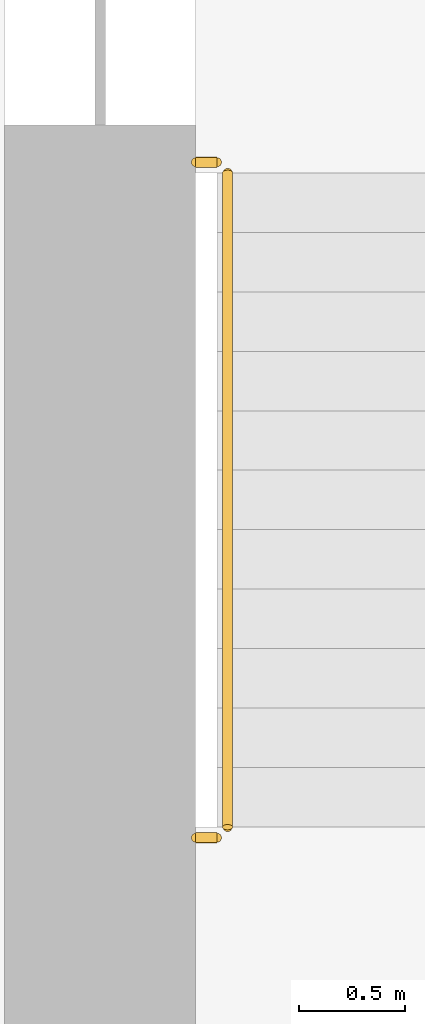
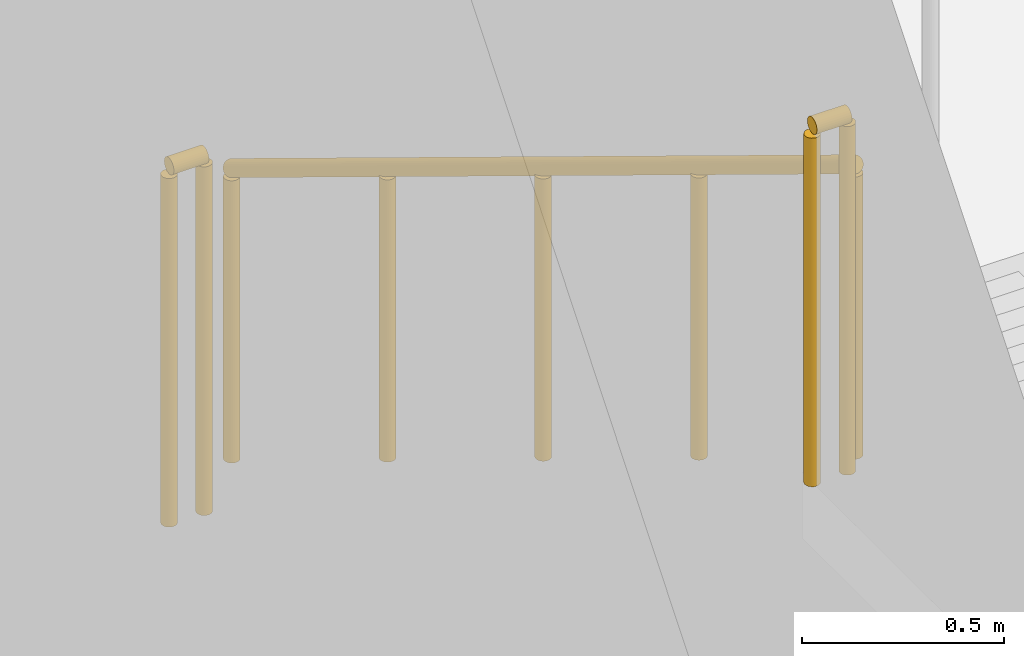
# One storey, part 10 of 17: 3 railings.
"""IFC4 building model written with IfcOpenShell, lengths in metres."""

from ifc_helpers import new_model, si_unit, direction, frame, origin, origin_2d, place, context, subcontext, project, spatial, circle, extrude, material, type_object, element, save


model = new_model("IFC4")

# Units and contexts
model_context = context("Model", 3, precision=1e-05, world=origin(), true_north=direction((0.0, 1.0)))
body_context = subcontext(model_context, "Body", "Model", "MODEL_VIEW")
ifc_project = project(units=[si_unit("LENGTHUNIT", "METRE"), si_unit("AREAUNIT", "SQUARE_METRE"), si_unit("VOLUMEUNIT", "CUBIC_METRE"), si_unit("PLANEANGLEUNIT", "RADIAN"), si_unit("MASSUNIT", "GRAM", prefix="KILO")], contexts=[model_context])

# Site, building, storey
site_placement = place(None, origin())
site = spatial("IfcSite", under=ifc_project, at=site_placement, CompositionType="ELEMENT")
building_placement = place(site_placement, origin())
building = spatial("IfcBuilding", under=site, at=building_placement, Name="Corbel Stack Research Tower", CompositionType="ELEMENT")
storey_placement = place(building_placement, frame((0.0, 0.0, 94.300048828125)))
storey = spatial("IfcBuildingStorey", under=building, at=storey_placement, Name="L21", CompositionType="ELEMENT", Elevation=94.300048828125)

# Railings
ifc_material_1 = material(Name="Steel S355", Category="steel")
railing_type_1 = type_object("IfcRailingType", Name="Stair guard 1100", PredefinedType="GUARDRAIL", material=ifc_material_1)
for number, where, name in (
    (1, (-9.60009765625, -5.530029296875, 2.050048828125), "L21 ST-W1 stair guard 3"),
    (2, (-9.60009765625, -2.35009765625, 0.0), "L21 ST-W1 stair guard 6"),
):
    element("IfcRailing", number, at=place(storey_placement, frame(where)), inside=storey, type_object=railing_type_1, Name=name, PredefinedType="GUARDRAIL", context=body_context, shape_type="SweptSolid", body=[
        extrude(circle(Radius=0.02392578125, at=origin_2d()), frame((0.0, 0.0, 1.076171875), z_axis=(1.0, 0.0, 0.0), x_axis=(0.0, 1.0, 0.0)), (0.0, 0.0, 1.0), 0.10009765625),
        extrude(circle(Radius=0.02099609375, at=origin_2d()), origin(), (0.0, 0.0, 1.0), 1.052001953125),
        extrude(circle(Radius=0.02099609375, at=origin_2d()), frame((0.10009765625, 0.0, 0.0)), (0.0, 0.0, 1.0), 1.052001953125),
    ])
ifc_material_2 = material(Name="Steel S355", Category="steel")
railing_type_2 = type_object("IfcRailingType", Name="Stair handrail 900", PredefinedType="HANDRAIL", material=ifc_material_2)
railing_placement = place(storey_placement, frame((-9.449951171875, -2.39990234375, 0.1708984375)))
element("IfcRailing", 3, at=railing_placement, inside=storey, type_object=railing_type_2, Name="L21 ST-W1 stair handrail 1", PredefinedType="HANDRAIL", context=body_context, shape_type="SweptSolid", body=[
    extrude(circle(Radius=0.02392578125, at=origin_2d()), frame((0.0, 0.0, 0.8759765625), z_axis=(0.0, -0.853666305674, 0.52082035152), x_axis=(1.0, 0.0, 0.0)), (0.0, 0.0, 1.0), 3.608154296875),
    extrude(circle(Radius=0.02099609375, at=origin_2d()), origin(), (0.0, 0.0, 1.0), 0.851806640625),
    extrude(circle(Radius=0.02099609375, at=origin_2d()), frame((0.0, -0.77001953125, 0.4697265625)), (0.0, 0.0, 1.0), 0.851806640625),
    extrude(circle(Radius=0.02099609375, at=origin_2d()), frame((0.0, -1.5400390625, 0.939453125)), (0.0, 0.0, 1.0), 0.851806640625),
    extrude(circle(Radius=0.02099609375, at=origin_2d()), frame((0.0, -2.31005859375, 1.409423828125)), (0.0, 0.0, 1.0), 0.851806640625),
    extrude(circle(Radius=0.02099609375, at=origin_2d()), frame((0.0, -3.080078125, 1.879150390625)), (0.0, 0.0, 1.0), 0.851806640625),
])

save(model, "model.ifc")
